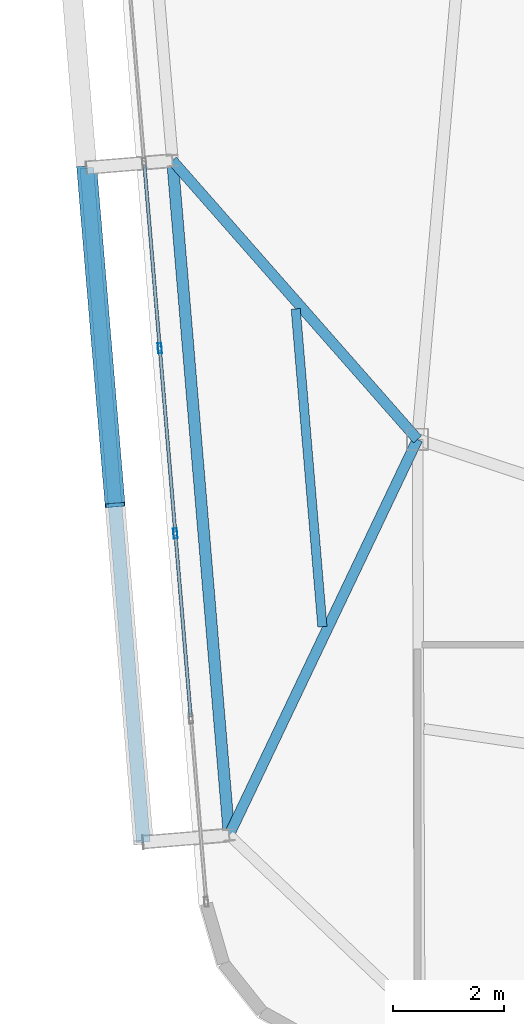
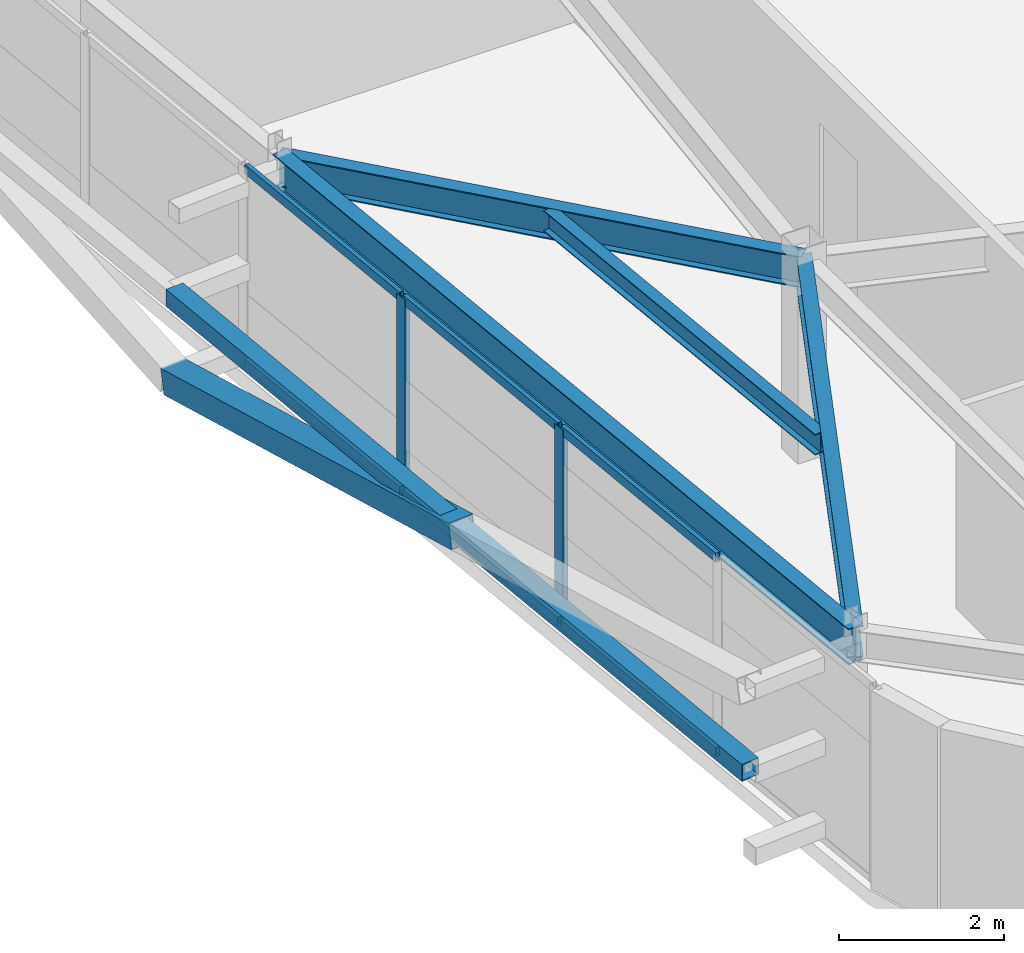
# One storey, part 9 of 46: 10 members, 4 beams, 1 element without a shape of its own.
"""IFC4 building model written with IfcOpenShell, lengths in metres."""

import ifcopenshell
import ifcopenshell.guid

model = None  # the IFC model being written
_history = None  # IfcOwnerHistory: only IFC2X3 demands one
_inside = {}  # id of a spatial element -> (the spatial element, [elements in it])
_under = {}  # id of a project, library or spatial element -> (it, [spatial elements below it])
_declared = {}  # id of a project -> (the project, [libraries it declares])
_typed = {}  # id of a type object -> (the type object, [elements of that type])
_made_of = {}  # id of a material, layer set ... -> (it, [elements and type objects made of it])


def new_model(schema):
    """Start an empty IFC model of exactly this schema.

    Asked for "IFC4X3", IfcOpenShell would pick the latest addendum, in which some entities
    have other attributes; the version numbers below select the first issue.
    IFC2X3 requires an IfcOwnerHistory on every rooted entity: one is made here for all.
    """
    global model, _history
    if schema == "IFC4X3":
        model = ifcopenshell.file(schema_version=(4, 3, 0, 0))
    else:
        model = ifcopenshell.file(schema=schema)
    _inside.clear()
    _under.clear()
    _declared.clear()
    _typed.clear()
    _made_of.clear()
    _history = None
    if model.schema == "IFC2X3":
        org = make("IfcOrganization", Name="unknown")
        user = make(
            "IfcPersonAndOrganization",
            ThePerson=make("IfcPerson", FamilyName="unknown"),
            TheOrganization=org,
        )
        app = make(
            "IfcApplication",
            ApplicationDeveloper=org,
            Version="unknown",
            ApplicationFullName="unknown",
            ApplicationIdentifier="unknown",
        )
        _history = make(
            "IfcOwnerHistory",
            OwningUser=user,
            OwningApplication=app,
            ChangeAction="ADDED",
            CreationDate=0,
        )
    return model


def make(cls, **values):
    """One entity of the class cls with the attributes given. An attribute that is None is left unset."""
    return model.create_entity(
        cls, **{name: value for name, value in values.items() if value is not None}
    )


def rooted(cls, **values):
    """An entity with a GlobalId (a new one), such as an element, a storey or a relation."""
    return make(cls, GlobalId=ifcopenshell.guid.new(), OwnerHistory=_history, **values)


def si_unit(unit_type, name, prefix=None):
    """IfcSIUnit, for example si_unit("LENGTHUNIT", "METRE", prefix="MILLI")."""
    return make("IfcSIUnit", UnitType=unit_type, Prefix=prefix, Name=name)


def assignment(units):
    """IfcUnitAssignment: the units of a project."""
    return None if units is None else make("IfcUnitAssignment", Units=units)


def point(xyz):
    """IfcCartesianPoint."""
    return None if xyz is None else make("IfcCartesianPoint", Coordinates=xyz)


def direction(xyz):
    """IfcDirection."""
    return None if xyz is None else make("IfcDirection", DirectionRatios=xyz)


def frame(location, z_axis=None, x_axis=None):
    """IfcAxis2Placement3D, a coordinate frame: its origin and axes. An axis left out is left unset."""
    return make(
        "IfcAxis2Placement3D",
        Location=point(location),
        Axis=direction(z_axis),
        RefDirection=direction(x_axis),
    )


def frame_2d(location, x_axis=None):
    """IfcAxis2Placement2D, a coordinate frame in the plane: its origin and x axis."""
    return make(
        "IfcAxis2Placement2D", Location=point(location), RefDirection=direction(x_axis)
    )


def origin():
    """The frame at (0, 0, 0) with its axes left unset."""
    return frame((0.0, 0.0, 0.0))


def origin_2d():
    """The frame at (0, 0) in the plane with its x axis left unset."""
    return frame_2d((0.0, 0.0))


def place(relative_to, where):
    """IfcLocalPlacement: puts the frame where relative to a parent placement (None: the world)."""
    return make(
        "IfcLocalPlacement", PlacementRelTo=relative_to, RelativePlacement=where
    )


def context(
    kind, dimensions, precision=None, world=None, true_north=None, identifier=None
):
    """IfcGeometricRepresentationContext, for example the 3D "Model" context."""
    return make(
        "IfcGeometricRepresentationContext",
        ContextIdentifier=identifier,
        ContextType=kind,
        CoordinateSpaceDimension=dimensions,
        Precision=precision,
        WorldCoordinateSystem=world,
        TrueNorth=true_north,
    )


def subcontext(parent, identifier, kind, view, scale=None):
    """IfcGeometricRepresentationSubContext, for example "Body" below "Model"."""
    return make(
        "IfcGeometricRepresentationSubContext",
        ContextIdentifier=identifier,
        ContextType=kind,
        ParentContext=parent,
        TargetScale=scale,
        TargetView=view,
    )


def project(units=None, contexts=None):
    """IfcProject with its units and contexts."""
    return rooted(
        "IfcProject",
        Name="project",
        RepresentationContexts=contexts,
        UnitsInContext=assignment(units),
    )


def spatial(cls, under=None, at=None, **own):
    """A site, building, storey or space (cls), placed at a placement, below another one or the project."""
    s = rooted(cls, ObjectPlacement=at, **own)
    if under is not None:
        _under.setdefault(under.id(), (under, []))[1].append(s)
    return s


def profile(cls, at=None, kind="AREA", **sizes):
    """A parametric profile (cls). Its sizes go by their IFC names, for example OverallWidth=200.0."""
    return make(cls, ProfileType=kind, Position=at, **sizes)


def hollow_rectangle(**sizes):
    """IfcRectangleHollowProfileDef."""
    return profile("IfcRectangleHollowProfileDef", **sizes)


def i_section(**sizes):
    """IfcIShapeProfileDef."""
    return profile("IfcIShapeProfileDef", **sizes)


def extrude(swept, where, along, depth):
    """IfcExtrudedAreaSolid: the profile swept, set in the frame where, extruded along a direction by depth."""
    return make(
        "IfcExtrudedAreaSolid",
        SweptArea=swept,
        Position=where,
        ExtrudedDirection=direction(along),
        Depth=depth,
    )


def shape(context_of_items, identifier, shape_type, items):
    """IfcShapeRepresentation: the items that make up one representation, for example the "Body"."""
    return make(
        "IfcShapeRepresentation",
        ContextOfItems=context_of_items,
        RepresentationIdentifier=identifier,
        RepresentationType=shape_type,
        Items=items,
    )


def source(mapping_origin, context_of_items, identifier, shape_type, items):
    """IfcRepresentationMap: a shape defined once, which mapped items show again and again."""
    return make(
        "IfcRepresentationMap",
        MappingOrigin=mapping_origin,
        MappedRepresentation=shape(context_of_items, identifier, shape_type, items),
    )


def transform(
    local_origin,
    x_axis=None,
    y_axis=None,
    z_axis=None,
    scale=None,
    scale2=None,
    scale3=None,
    uniform=True,
):
    """IfcCartesianTransformationOperator3D, or its non-uniform kind. x_axis, y_axis, z_axis: its Axis1, 2, 3."""
    if uniform:
        return make(
            "IfcCartesianTransformationOperator3D",
            Axis1=direction(x_axis),
            Axis2=direction(y_axis),
            LocalOrigin=point(local_origin),
            Scale=scale,
            Axis3=direction(z_axis),
        )
    return make(
        "IfcCartesianTransformationOperator3DnonUniform",
        Axis1=direction(x_axis),
        Axis2=direction(y_axis),
        LocalOrigin=point(local_origin),
        Scale=scale,
        Axis3=direction(z_axis),
        Scale2=scale2,
        Scale3=scale3,
    )


def mapped(mapping_source, mapping_target):
    """IfcMappedItem: shows the shape of a source again, moved by a transform."""
    return make(
        "IfcMappedItem", MappingSource=mapping_source, MappingTarget=mapping_target
    )


def material(Name=None, Category=None):
    """IfcMaterial."""
    return make("IfcMaterial", Name=Name, Category=Category)


def layer(
    of_material, thickness, ventilated=None, Name=None, Category=None, Priority=None
):
    """IfcMaterialLayer: one layer of a wall or slab, of a material (None: an air gap)."""
    return make(
        "IfcMaterialLayer",
        Material=of_material,
        LayerThickness=thickness,
        IsVentilated=ventilated,
        Name=Name,
        Category=Category,
        Priority=Priority,
    )


def layer_set(layers, Name=None):
    """IfcMaterialLayerSet."""
    return make("IfcMaterialLayerSet", MaterialLayers=layers, LayerSetName=Name)


def material_profile(
    of_material, cross_section, Name=None, Category=None, Priority=None
):
    """IfcMaterialProfile: a cross section and its material."""
    return make(
        "IfcMaterialProfile",
        Name=Name,
        Material=of_material,
        Profile=cross_section,
        Priority=Priority,
        Category=Category,
    )


def profile_set(profiles, Name=None, composite=None):
    """IfcMaterialProfileSet."""
    return make(
        "IfcMaterialProfileSet",
        Name=Name,
        MaterialProfiles=profiles,
        CompositeProfile=composite,
    )


def made_of(thing, what):
    """Note that an element or type object is made of a material, layer set ...; save() writes the relation."""
    if what is not None:
        _made_of.setdefault(what.id(), (what, []))[1].append(thing)
    return thing


def type_object(cls, material=None, **own):
    """A type object (cls), such as IfcWallType, which elements share."""
    return made_of(rooted(cls, **own), material)


def element(
    cls,
    number,
    at=None,
    inside=None,
    cuts=None,
    type_object=None,
    material=None,
    context=None,
    identifier="Body",
    shape_type=None,
    held_by="IfcProductDefinitionShape",
    body=None,
    shapes=None,
    **own,
):
    """One element of the class cls, such as IfcWall. Its Tag is "e" and its number.

    at: its placement. inside: the storey or other place that contains it. cuts: it is an
    opening in that element (IfcRelVoidsElement). A single representation is given by context,
    identifier, shape_type and body (its items); several are given by shapes. held_by: the class
    of the entity that holds the representations. save() writes the other relations.
    """
    e = rooted(cls, Tag="e%d" % number, ObjectPlacement=at, **own)
    if body is not None:
        shapes = [shape(context, identifier, shape_type, body)]
    if shapes is not None:
        e.Representation = make(held_by, Representations=shapes)
    if inside is not None:
        _inside.setdefault(inside.id(), (inside, []))[1].append(e)
    if cuts is not None:
        rooted(
            "IfcRelVoidsElement", RelatingBuildingElement=cuts, RelatedOpeningElement=e
        )
    if type_object is not None:
        _typed.setdefault(type_object.id(), (type_object, []))[1].append(e)
    return made_of(e, material)


def aggregate(whole, parts):
    """IfcRelAggregates: a whole, such as a stair, and the parts it consists of."""
    return rooted("IfcRelAggregates", RelatingObject=whole, RelatedObjects=parts)


def save(model, path):
    """Write the relations noted so far, then the file.

    IfcRelAggregates (storeys below a building ...), IfcRelContainedInSpatialStructure (elements
    in a storey), IfcRelDefinesByType, IfcRelAssociatesMaterial and IfcRelDeclares: one each for
    every whole, place, type object, material and project.
    """
    for whole, parts in _under.values():
        aggregate(whole, parts)
    for where, things in _inside.values():
        rooted(
            "IfcRelContainedInSpatialStructure",
            RelatedElements=things,
            RelatingStructure=where,
        )
    for kind, things in _typed.values():
        rooted("IfcRelDefinesByType", RelatedObjects=things, RelatingType=kind)
    for what, things in _made_of.values():
        rooted("IfcRelAssociatesMaterial", RelatedObjects=things, RelatingMaterial=what)
    for by, libraries in _declared.values():
        rooted("IfcRelDeclares", RelatingContext=by, RelatedDefinitions=libraries)
    model.write(path)


model = new_model("IFC4")

# Units and contexts
model_context = context("Model", 3, precision=1e-05, world=origin(), true_north=direction((0.0, 1.0)))
body_context = subcontext(model_context, "Body", "Model", "MODEL_VIEW")
ifc_project = project(units=[si_unit("LENGTHUNIT", "METRE"), si_unit("AREAUNIT", "SQUARE_METRE"), si_unit("VOLUMEUNIT", "CUBIC_METRE"), si_unit("PLANEANGLEUNIT", "RADIAN"), si_unit("MASSUNIT", "GRAM", prefix="KILO")], contexts=[model_context])

# Site, building, storey
site_placement = place(None, origin())
site = spatial("IfcSite", under=ifc_project, at=site_placement, CompositionType="ELEMENT")
building_placement = place(site_placement, origin())
building = spatial("IfcBuilding", under=site, at=building_placement, Name="Taldren Reach Tower", CompositionType="ELEMENT")
storey_placement = place(building_placement, frame((0.0, 0.0, 188.300048828125)))
storey = spatial("IfcBuildingStorey", under=building, at=storey_placement, Name="L57", CompositionType="ELEMENT", Elevation=188.300048828125)

# Beams
ifc_material_1 = material(Name="Steel Gr 350 (350PLUS)", Category="steel")
ifc_material_profile_1 = material_profile(ifc_material_1, i_section(OverallWidth=0.208984375, OverallDepth=0.528076171875, WebThickness=0.009521484375, FlangeThickness=0.01318359375, at=origin_2d()), Name="530UB82.0")
ifc_profile_set_1 = profile_set([ifc_material_profile_1], Name="Steel Gr 350 (350PLUS)")
beam_type_1 = type_object("IfcBeamType", Name="SP-UB530B", PredefinedType="SPANDREL", material=ifc_profile_set_1)
shared_shape_1 = source(origin(), body_context, "Body", "SweptSolid", [
    extrude(i_section(OverallWidth=0.208984375, OverallDepth=0.528076171875, WebThickness=0.009521484375, FlangeThickness=0.01318359375, at=origin_2d()), origin(), (0.0, 0.0, 1.0), 12.199951171875),
])
beam_1_placement = place(storey_placement, frame((13.582763671875, 17.525146484375, 2.666015625), z_axis=(0.083688038336, -0.996492003099, 0.0), x_axis=(0.996492003099, 0.083688038336, 0.0)))
element("IfcBeam", 1, at=beam_1_placement, inside=storey, type_object=beam_type_1, Name="Perimeter spandrel B4 W2-W1 L57", PredefinedType="SPANDREL", context=body_context, shape_type="MappedRepresentation", body=[
    mapped(shared_shape_1, transform((0.0, 0.0, 0.0), scale=1.0)),
])
ifc_material_profile_2 = material_profile(ifc_material_1, i_section(OverallWidth=0.19091796875, OverallDepth=0.4599609375, WebThickness=0.010009765625, FlangeThickness=0.01611328125, at=origin_2d()), Name="460UB82.1")
ifc_profile_set_2 = profile_set([ifc_material_profile_2], Name="Steel Gr 350 (350PLUS)")
beam_type_2 = type_object("IfcBeamType", Name="BM-UB460A", PredefinedType="BEAM", material=ifc_profile_set_2)
shared_shape_2 = source(origin(), body_context, "Body", "SweptSolid", [
    extrude(i_section(OverallWidth=0.19091796875, OverallDepth=0.4599609375, WebThickness=0.010009765625, FlangeThickness=0.01611328125, at=origin_2d()), origin(), (0.0, 0.0, 1.0), 6.690673828125),
])
beam_2_placement = place(storey_placement, frame((18.0, 12.5, 2.699951171875), z_axis=(-0.660215677485, 0.751076067521, 0.0), x_axis=(-0.751076067521, -0.660215677485, 0.0)))
element("IfcBeam", 2, at=beam_2_placement, inside=storey, type_object=beam_type_2, Name="Primary floor girder B4-W2 L57", PredefinedType="BEAM", context=body_context, shape_type="MappedRepresentation", body=[
    mapped(shared_shape_2, transform((0.0, 0.0, 0.0), scale=1.0)),
])
shared_shape_3 = source(origin(), body_context, "Body", "SweptSolid", [
    extrude(i_section(OverallWidth=0.19091796875, OverallDepth=0.4599609375, WebThickness=0.010009765625, FlangeThickness=0.01611328125, at=origin_2d()), origin(), (0.0, 0.0, 1.0), 7.8994140625),
])
beam_3_placement = place(storey_placement, frame((18.0, 12.5, 2.699951171875), z_axis=(-0.429934780074, -0.902859947546, 0.0), x_axis=(0.902859947546, -0.429934780074, 0.0)))
element("IfcBeam", 3, at=beam_3_placement, inside=storey, type_object=beam_type_2, Name="Primary floor girder B4-W1 L57", PredefinedType="BEAM", context=body_context, shape_type="MappedRepresentation", body=[
    mapped(shared_shape_3, transform((0.0, 0.0, 0.0), scale=1.0)),
])
ifc_material_2 = material(Name="Steel Gr 300 (300PLUS, 300 MPa)", Category="steel")
ifc_material_profile_3 = material_profile(ifc_material_2, i_section(OverallWidth=0.166015625, OverallDepth=0.306884765625, WebThickness=0.006591796875, FlangeThickness=0.01171875, at=origin_2d()), Name="310UB46.2")
ifc_profile_set_3 = profile_set([ifc_material_profile_3], Name="Steel Gr 300 (300PLUS, 300 MPa)")
beam_type_3 = type_object("IfcBeamType", Name="JS-UB310", PredefinedType="JOIST", material=ifc_profile_set_3)
shared_shape_4 = source(origin(), body_context, "Body", "SweptSolid", [
    extrude(i_section(OverallWidth=0.166015625, OverallDepth=0.306884765625, WebThickness=0.006591796875, FlangeThickness=0.01171875, at=origin_2d()), origin(), (0.0, 0.0, 1.0), 5.750244140625),
])
beam_4_placement = place(storey_placement, frame((16.285888671875, 9.122802734375, 2.7763671875), z_axis=(-0.083642808993, 0.996495800545, 0.0), x_axis=(-0.996495800545, -0.083642808993, 0.0)))
element("IfcBeam", 4, at=beam_4_placement, inside=storey, type_object=beam_type_3, Name="Secondary floor joist B4 J6 L57", PredefinedType="JOIST", context=body_context, shape_type="MappedRepresentation", body=[
    mapped(shared_shape_4, transform((0.0, 0.0, 0.0), scale=1.0)),
])

# Members
ifc_material_3 = material(Name="Steel Gr 350 (C350L0)", Category="steel")
ifc_material_profile_4 = material_profile(ifc_material_3, hollow_rectangle(XDim=0.25, YDim=0.25, WallThickness=0.010009765625, at=origin_2d()), Name="250x250x10.0SHS")
ifc_profile_set_4 = profile_set([ifc_material_profile_4], Name="Steel Gr 350 (C350L0)")
member_type_1 = type_object("IfcMemberType", Name="MB-POST250", PredefinedType="POST", material=ifc_profile_set_4)
shared_shape_5 = source(origin(), body_context, "Body", "SweptSolid", [
    extrude(hollow_rectangle(XDim=0.25, YDim=0.25, WallThickness=0.010009765625, at=origin_2d()), origin(), (0.0, 0.0, 1.0), 12.199951171875),
])
member_1_placement = place(storey_placement, frame((13.05908203125, 5.23828125, 1.43505859375), z_axis=(-0.083688038336, 0.996492003099, 0.0), x_axis=(-0.996492003099, -0.083688038336, 0.0)))
element("IfcMember", 5, at=member_1_placement, inside=storey, type_object=member_type_1, Name="Exoskeleton mid-height ring chord B4-W1 L57", PredefinedType="POST", context=body_context, shape_type="MappedRepresentation", body=[
    mapped(shared_shape_5, transform((0.0, 0.0, 0.0), scale=1.0)),
])
ifc_material_4 = material(Name="Steel Gr 450 (C450L0)", Category="steel")
ifc_material_profile_5 = material_profile(ifc_material_4, hollow_rectangle(XDim=0.360107421875, YDim=0.360107421875, WallThickness=0.0126953125, at=origin_2d()), Name="360x360x12.7SHS")
ifc_profile_set_5 = profile_set([ifc_material_profile_5], Name="Steel Gr 450 (C450L0)")
member_type_2 = type_object("IfcMemberType", Name="MB-EXO356", PredefinedType="BRACE", material=ifc_profile_set_5)
shared_shape_6 = source(origin(), body_context, "Body", "SweptSolid", [
    extrude(hollow_rectangle(XDim=0.360107421875, YDim=0.360107421875, WallThickness=0.0126953125, at=origin_2d()), origin(), (0.0, 0.0, 1.0), 6.219970703125),
])
member_2_placement = place(storey_placement, frame((12.0380859375, 17.3955078125, 0.219970703125), z_axis=(0.082075564879, -0.977291924611, 0.195356330179), x_axis=(0.996492003099, 0.083688038336, 0.0)))
element("IfcMember", 6, at=member_2_placement, inside=storey, type_object=member_type_2, Name="Exoskeleton Diagrid Brace B4-W1 L57", PredefinedType="BRACE", context=body_context, shape_type="MappedRepresentation", body=[
    mapped(shared_shape_6, transform((0.0, 0.0, 0.0), scale=1.0)),
])

# Curtain wall, members
ifc_material_5 = material(Name="Aluminium and Low-E Glass Unitised System", Category="aluminium")
ifc_layer = layer(ifc_material_5, 0.159912109375)
ifc_layer_set = layer_set([ifc_layer], Name="Aluminium and Low-E Glass Unitised System")
curtain_wall_type = type_object("IfcCurtainWallType", Name="CW-SYS-5", PredefinedType="NOTDEFINED", material=ifc_layer_set)
curtain_wall_placement = place(storey_placement, origin())
curtain_wall = element("IfcCurtainWall", 7, at=curtain_wall_placement, inside=storey, type_object=curtain_wall_type, Name="Unitised curtain wall CW-L57-W", PredefinedType="NOTDEFINED")
ifc_material_6 = material(Name="Anodised Aluminium 6063-T6", Category="aluminium")
ifc_material_profile_6 = material_profile(ifc_material_6, hollow_rectangle(XDim=0.070068359375, YDim=0.179931640625, WallThickness=0.00390625, at=origin_2d()), Name="ALU-180x70x4RHS")
ifc_profile_set_6 = profile_set([ifc_material_profile_6], Name="Anodised Aluminium 6063-T6")
member_type_3 = type_object("IfcMemberType", Name="CW-MUL-180", PredefinedType="MULLION", material=ifc_profile_set_6)
shared_shape_7 = source(origin(), body_context, "Body", "SweptSolid", [
    extrude(hollow_rectangle(XDim=0.070068359375, YDim=0.179931640625, WallThickness=0.00390625, at=origin_2d()), origin(), (0.0, 0.0, 1.0), 2.929931640625),
])
member_3_placement = place(storey_placement, frame((13.35498046875, 14.144287109375, 0.0), z_axis=(0.0, 0.0, 1.0), x_axis=(0.996492847789, 0.083677979808, 0.0)))
member_3 = element("IfcMember", 8, at=member_3_placement, type_object=member_type_3, Name="CW-5 mullion 6", PredefinedType="MULLION", context=body_context, shape_type="MappedRepresentation", body=[
    mapped(shared_shape_7, transform((0.0, 0.0, 0.0), scale=1.0)),
])
member_4_placement = place(storey_placement, frame((13.63525390625, 10.805908203125, 0.0), z_axis=(0.0, 0.0, 1.0), x_axis=(0.996492847789, 0.083677979808, 0.0)))
member_4 = element("IfcMember", 9, at=member_4_placement, type_object=member_type_3, Name="CW-5 mullion 7", PredefinedType="MULLION", context=body_context, shape_type="MappedRepresentation", body=[
    mapped(shared_shape_7, transform((0.0, 0.0, 0.0), scale=1.0)),
])
ifc_material_profile_7 = material_profile(ifc_material_6, hollow_rectangle(XDim=0.06005859375, YDim=0.135009765625, WallThickness=0.00341796875, at=origin_2d()), Name="ALU-135x60x3.5RHS")
ifc_profile_set_7 = profile_set([ifc_material_profile_7], Name="Anodised Aluminium 6063-T6")
member_type_4 = type_object("IfcMemberType", Name="CW-TRN-150", PredefinedType="USERDEFINED", material=ifc_profile_set_7)
shared_shape_8 = source(origin(), body_context, "Body", "SweptSolid", [
    extrude(hollow_rectangle(XDim=0.06005859375, YDim=0.135009765625, WallThickness=0.00341796875, at=origin_2d()), origin(), (0.0, 0.0, 1.0), 3.280029296875),
])
member_5_placement = place(storey_placement, frame((13.077392578125, 17.44775390625, 0.030029296875), z_axis=(0.083735362341, -0.996488027572, 0.0), x_axis=(0.996488027572, 0.083735362341, 0.0)))
member_5 = element("IfcMember", 10, at=member_5_placement, type_object=member_type_4, Name="CW-5 transom 5.1", ObjectType="TRANSOM", PredefinedType="USERDEFINED", context=body_context, shape_type="MappedRepresentation", body=[
    mapped(shared_shape_8, transform((0.0, 0.0, 0.0), scale=1.0)),
])
member_6_placement = place(storey_placement, frame((13.077392578125, 17.44775390625, 2.89990234375), z_axis=(0.083735362341, -0.996488027572, 0.0), x_axis=(0.996488027572, 0.083735362341, 0.0)))
member_6 = element("IfcMember", 11, at=member_6_placement, type_object=member_type_4, Name="CW-5 transom 5.2", ObjectType="TRANSOM", PredefinedType="USERDEFINED", context=body_context, shape_type="MappedRepresentation", body=[
    mapped(shared_shape_8, transform((0.0, 0.0, 0.0), scale=1.0)),
])
member_7_placement = place(storey_placement, frame((13.35791015625, 14.109375, 0.030029296875), z_axis=(0.083661452101, -0.996494235524, 0.0), x_axis=(0.996494235524, 0.083661452101, 0.0)))
member_7 = element("IfcMember", 12, at=member_7_placement, type_object=member_type_4, Name="CW-5 transom 6.1", ObjectType="TRANSOM", PredefinedType="USERDEFINED", context=body_context, shape_type="MappedRepresentation", body=[
    mapped(shared_shape_8, transform((0.0, 0.0, 0.0), scale=1.0)),
])
member_8_placement = place(storey_placement, frame((13.35791015625, 14.109375, 2.89990234375), z_axis=(0.083661452101, -0.996494235524, 0.0), x_axis=(0.996494235524, 0.083661452101, 0.0)))
member_8 = element("IfcMember", 13, at=member_8_placement, type_object=member_type_4, Name="CW-5 transom 6.2", ObjectType="TRANSOM", PredefinedType="USERDEFINED", context=body_context, shape_type="MappedRepresentation", body=[
    mapped(shared_shape_8, transform((0.0, 0.0, 0.0), scale=1.0)),
])
member_9_placement = place(storey_placement, frame((13.63818359375, 10.771240234375, 0.030029296875), z_axis=(0.083661452101, -0.996494235524, 0.0), x_axis=(0.996494235524, 0.083661452101, 0.0)))
member_9 = element("IfcMember", 14, at=member_9_placement, type_object=member_type_4, Name="CW-5 transom 7.1", ObjectType="TRANSOM", PredefinedType="USERDEFINED", context=body_context, shape_type="MappedRepresentation", body=[
    mapped(shared_shape_8, transform((0.0, 0.0, 0.0), scale=1.0)),
])
member_10_placement = place(storey_placement, frame((13.63818359375, 10.771240234375, 2.89990234375), z_axis=(0.083661452101, -0.996494235524, 0.0), x_axis=(0.996494235524, 0.083661452101, 0.0)))
member_10 = element("IfcMember", 15, at=member_10_placement, type_object=member_type_4, Name="CW-5 transom 7.2", ObjectType="TRANSOM", PredefinedType="USERDEFINED", context=body_context, shape_type="MappedRepresentation", body=[
    mapped(shared_shape_8, transform((0.0, 0.0, 0.0), scale=1.0)),
])
aggregate(curtain_wall, [member_3, member_4, member_5, member_6, member_7, member_8, member_9, member_10])

save(model, "model.ifc")
